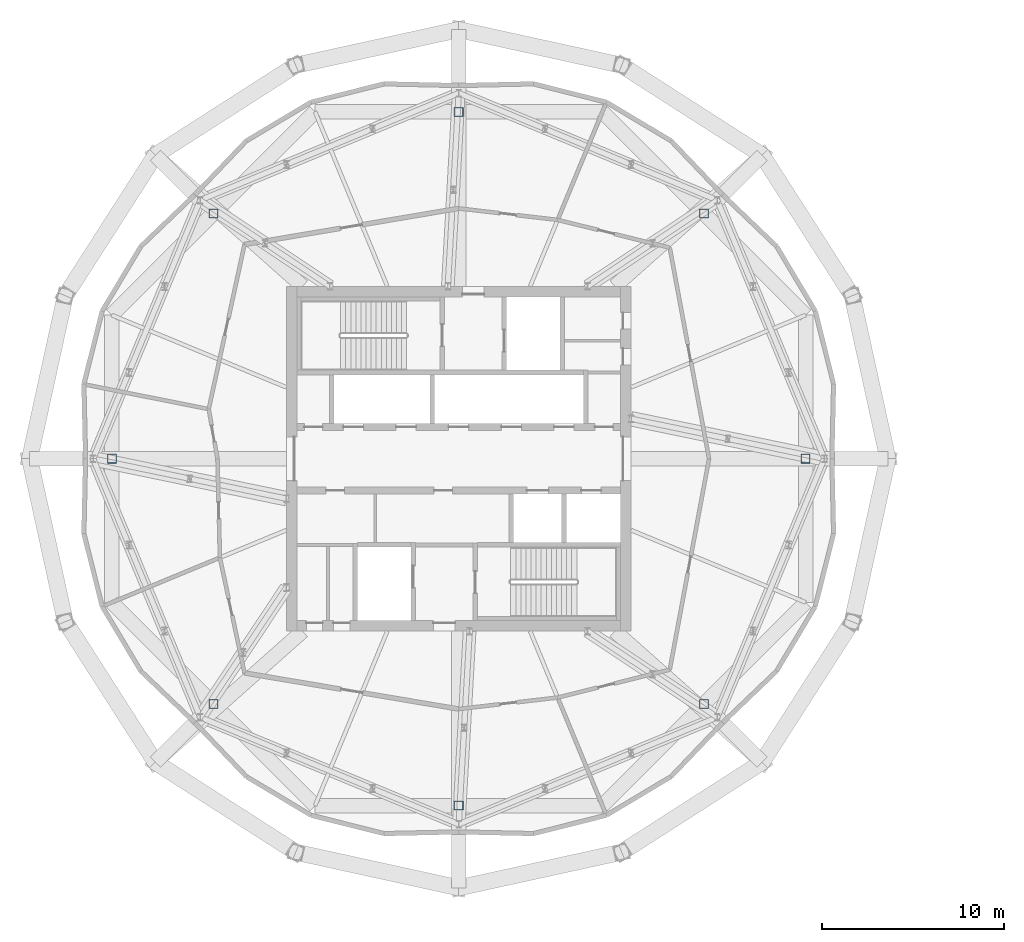
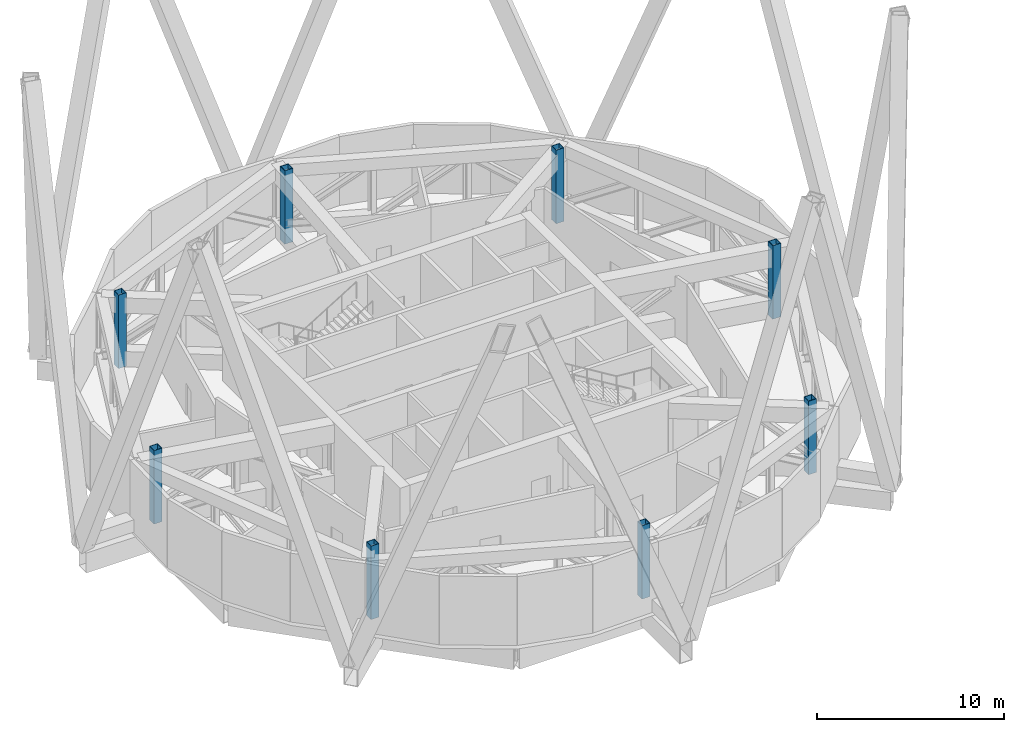
# One storey, part 1 of 19: 8 columns.
"""IFC4 building model written with IfcOpenShell, lengths in metres."""

from ifc_helpers import new_model, si_unit, direction, frame, origin, origin_2d, place, context, subcontext, project, spatial, hollow_rectangle, extrude, material, material_profile, profile_set, type_object, element, save


model = new_model("IFC4")

# Units and contexts
model_context = context("Model", 3, precision=1e-05, world=origin(), true_north=direction((0.0, 1.0)))
body_context = subcontext(model_context, "Body", "Model", "MODEL_VIEW")
ifc_project = project(units=[si_unit("LENGTHUNIT", "METRE"), si_unit("AREAUNIT", "SQUARE_METRE"), si_unit("VOLUMEUNIT", "CUBIC_METRE"), si_unit("PLANEANGLEUNIT", "RADIAN"), si_unit("MASSUNIT", "GRAM", prefix="KILO")], contexts=[model_context])

# Site, building, storey
site_placement = place(None, origin())
site = spatial("IfcSite", under=ifc_project, at=site_placement, CompositionType="ELEMENT")
building_placement = place(site_placement, origin())
building = spatial("IfcBuilding", under=site, at=building_placement, Name="Ogive Gate Towers", CompositionType="ELEMENT")
storey_placement = place(building_placement, frame((0.0, 0.0, 216.300048828125)))
storey = spatial("IfcBuildingStorey", under=building, at=storey_placement, Name="L52", CompositionType="ELEMENT", Elevation=216.300048828125)

# Columns
ifc_material = material(Name="Steel SM460", Category="steel")
ifc_material_profile = material_profile(ifc_material, hollow_rectangle(XDim=0.5, YDim=0.5, WallThickness=0.030029296875, at=origin_2d()), Name="BX 500x500x30")
ifc_profile_set = profile_set([ifc_material_profile], Name="Steel SM460")
column_type = type_object("IfcColumnType", Name="Perimeter post BX 500x500x30", PredefinedType="COLUMN", material=ifc_profile_set)
for number, where, z_axis, x_axis, name in (
    (1, (-16.889892578125, 0.0, 0.0), (0.0, 0.0, 1.0), (1.0, 0.0, 0.0), "T1/L52/SCL001"),
    (2, (-22.4873046875, 13.5126953125, 0.0), (0.0, 0.0, 1.0), (1.0, 0.0, 0.0), "T1/L52/SCL002"),
    (3, (-36.0, 19.110107421875, 0.0), (0.0, 0.0, 1.0), (1.0, 0.0, 0.0), "T1/L52/SCL003"),
    (4, (-49.5126953125, 13.5126953125, 0.0), (0.0, 0.0, 1.0), (1.0, 0.0, 0.0), "T1/L52/SCL004"),
    (5, (-55.110107421875, 0.0, 0.0), (0.0, 0.0, 1.0), (1.0, 0.0, 0.0), "T1/L52/SCL005"),
    (6, (-49.5126953125, -13.5126953125, 0.0), (0.0, 0.0, 1.0), (1.0, 0.0, 0.0), "T1/L52/SCL006"),
    (7, (-36.0, -19.110107421875, 0.0), (0.0, 0.0, 1.0), (1.0, 0.0, 0.0), "T1/L52/SCL007"),
    (8, (-22.4873046875, -13.5126953125, 0.0), (0.0, 0.0, 1.0), (1.0, 0.0, 0.0), "T1/L52/SCL008"),
):
    element("IfcColumn", number, at=place(storey_placement, frame(where, z_axis=z_axis, x_axis=x_axis)), inside=storey, type_object=column_type, Name=name, PredefinedType="COLUMN", context=body_context, shape_type="SweptSolid", body=[
        extrude(hollow_rectangle(XDim=0.5, YDim=0.5, WallThickness=0.030029296875, at=origin_2d()), origin(), (0.0, 0.0, 1.0), 4.800048828125),
    ])

save(model, "model.ifc")
